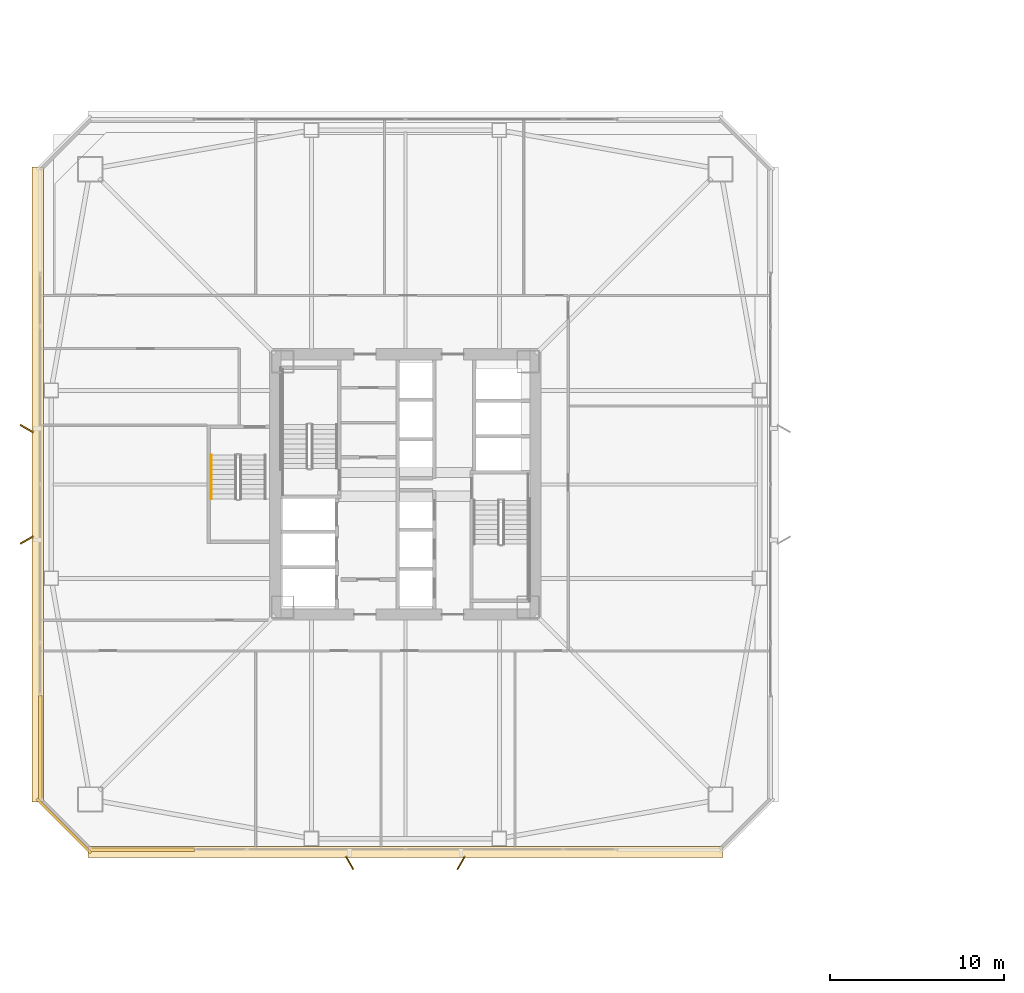
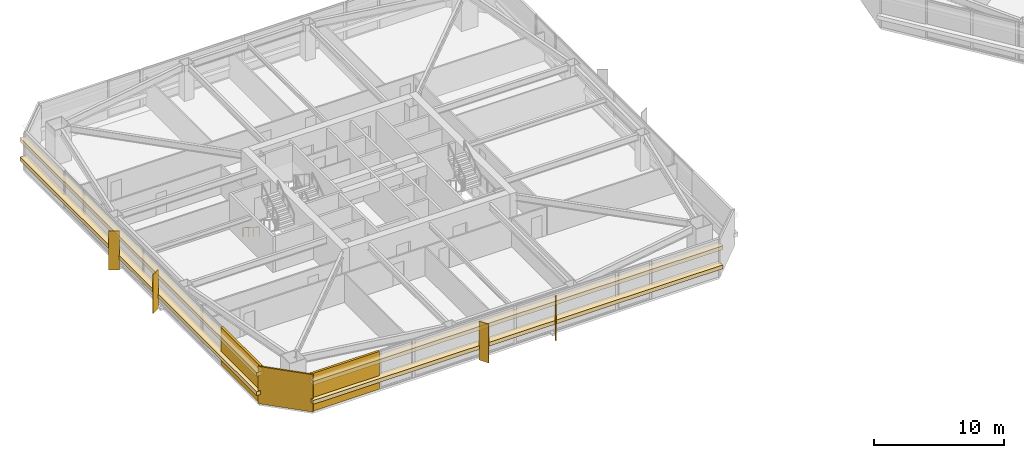
# One storey, part 42 of 49: 7 coverings, 4 shading devices, 1 railing.
"""IFC4 building model written with IfcOpenShell, lengths in metres."""

import ifcopenshell
import ifcopenshell.guid

model = None  # the IFC model being written
_history = None  # IfcOwnerHistory: only IFC2X3 demands one
_inside = {}  # id of a spatial element -> (the spatial element, [elements in it])
_under = {}  # id of a project, library or spatial element -> (it, [spatial elements below it])
_declared = {}  # id of a project -> (the project, [libraries it declares])
_typed = {}  # id of a type object -> (the type object, [elements of that type])
_made_of = {}  # id of a material, layer set ... -> (it, [elements and type objects made of it])


def new_model(schema):
    """Start an empty IFC model of exactly this schema.

    Asked for "IFC4X3", IfcOpenShell would pick the latest addendum, in which some entities
    have other attributes; the version numbers below select the first issue.
    IFC2X3 requires an IfcOwnerHistory on every rooted entity: one is made here for all.
    """
    global model, _history
    if schema == "IFC4X3":
        model = ifcopenshell.file(schema_version=(4, 3, 0, 0))
    else:
        model = ifcopenshell.file(schema=schema)
    _inside.clear()
    _under.clear()
    _declared.clear()
    _typed.clear()
    _made_of.clear()
    _history = None
    if model.schema == "IFC2X3":
        org = make("IfcOrganization", Name="unknown")
        user = make(
            "IfcPersonAndOrganization",
            ThePerson=make("IfcPerson", FamilyName="unknown"),
            TheOrganization=org,
        )
        app = make(
            "IfcApplication",
            ApplicationDeveloper=org,
            Version="unknown",
            ApplicationFullName="unknown",
            ApplicationIdentifier="unknown",
        )
        _history = make(
            "IfcOwnerHistory",
            OwningUser=user,
            OwningApplication=app,
            ChangeAction="ADDED",
            CreationDate=0,
        )
    return model


def make(cls, **values):
    """One entity of the class cls with the attributes given. An attribute that is None is left unset."""
    return model.create_entity(
        cls, **{name: value for name, value in values.items() if value is not None}
    )


def rooted(cls, **values):
    """An entity with a GlobalId (a new one), such as an element, a storey or a relation."""
    return make(cls, GlobalId=ifcopenshell.guid.new(), OwnerHistory=_history, **values)


def si_unit(unit_type, name, prefix=None):
    """IfcSIUnit, for example si_unit("LENGTHUNIT", "METRE", prefix="MILLI")."""
    return make("IfcSIUnit", UnitType=unit_type, Prefix=prefix, Name=name)


def assignment(units):
    """IfcUnitAssignment: the units of a project."""
    return None if units is None else make("IfcUnitAssignment", Units=units)


def point(xyz):
    """IfcCartesianPoint."""
    return None if xyz is None else make("IfcCartesianPoint", Coordinates=xyz)


def direction(xyz):
    """IfcDirection."""
    return None if xyz is None else make("IfcDirection", DirectionRatios=xyz)


def frame(location, z_axis=None, x_axis=None):
    """IfcAxis2Placement3D, a coordinate frame: its origin and axes. An axis left out is left unset."""
    return make(
        "IfcAxis2Placement3D",
        Location=point(location),
        Axis=direction(z_axis),
        RefDirection=direction(x_axis),
    )


def frame_2d(location, x_axis=None):
    """IfcAxis2Placement2D, a coordinate frame in the plane: its origin and x axis."""
    return make(
        "IfcAxis2Placement2D", Location=point(location), RefDirection=direction(x_axis)
    )


def origin():
    """The frame at (0, 0, 0) with its axes left unset."""
    return frame((0.0, 0.0, 0.0))


def origin_2d():
    """The frame at (0, 0) in the plane with its x axis left unset."""
    return frame_2d((0.0, 0.0))


def place(relative_to, where):
    """IfcLocalPlacement: puts the frame where relative to a parent placement (None: the world)."""
    return make(
        "IfcLocalPlacement", PlacementRelTo=relative_to, RelativePlacement=where
    )


def context(
    kind, dimensions, precision=None, world=None, true_north=None, identifier=None
):
    """IfcGeometricRepresentationContext, for example the 3D "Model" context."""
    return make(
        "IfcGeometricRepresentationContext",
        ContextIdentifier=identifier,
        ContextType=kind,
        CoordinateSpaceDimension=dimensions,
        Precision=precision,
        WorldCoordinateSystem=world,
        TrueNorth=true_north,
    )


def subcontext(parent, identifier, kind, view, scale=None):
    """IfcGeometricRepresentationSubContext, for example "Body" below "Model"."""
    return make(
        "IfcGeometricRepresentationSubContext",
        ContextIdentifier=identifier,
        ContextType=kind,
        ParentContext=parent,
        TargetScale=scale,
        TargetView=view,
    )


def project(units=None, contexts=None):
    """IfcProject with its units and contexts."""
    return rooted(
        "IfcProject",
        Name="project",
        RepresentationContexts=contexts,
        UnitsInContext=assignment(units),
    )


def spatial(cls, under=None, at=None, **own):
    """A site, building, storey or space (cls), placed at a placement, below another one or the project."""
    s = rooted(cls, ObjectPlacement=at, **own)
    if under is not None:
        _under.setdefault(under.id(), (under, []))[1].append(s)
    return s


def profile(cls, at=None, kind="AREA", **sizes):
    """A parametric profile (cls). Its sizes go by their IFC names, for example OverallWidth=200.0."""
    return make(cls, ProfileType=kind, Position=at, **sizes)


def rectangle(**sizes):
    """IfcRectangleProfileDef."""
    return profile("IfcRectangleProfileDef", **sizes)


def extrude(swept, where, along, depth):
    """IfcExtrudedAreaSolid: the profile swept, set in the frame where, extruded along a direction by depth."""
    return make(
        "IfcExtrudedAreaSolid",
        SweptArea=swept,
        Position=where,
        ExtrudedDirection=direction(along),
        Depth=depth,
    )


def shape(context_of_items, identifier, shape_type, items):
    """IfcShapeRepresentation: the items that make up one representation, for example the "Body"."""
    return make(
        "IfcShapeRepresentation",
        ContextOfItems=context_of_items,
        RepresentationIdentifier=identifier,
        RepresentationType=shape_type,
        Items=items,
    )


def material(Name=None, Category=None):
    """IfcMaterial."""
    return make("IfcMaterial", Name=Name, Category=Category)


def layer(
    of_material, thickness, ventilated=None, Name=None, Category=None, Priority=None
):
    """IfcMaterialLayer: one layer of a wall or slab, of a material (None: an air gap)."""
    return make(
        "IfcMaterialLayer",
        Material=of_material,
        LayerThickness=thickness,
        IsVentilated=ventilated,
        Name=Name,
        Category=Category,
        Priority=Priority,
    )


def layer_set(layers, Name=None):
    """IfcMaterialLayerSet."""
    return make("IfcMaterialLayerSet", MaterialLayers=layers, LayerSetName=Name)


def made_of(thing, what):
    """Note that an element or type object is made of a material, layer set ...; save() writes the relation."""
    if what is not None:
        _made_of.setdefault(what.id(), (what, []))[1].append(thing)
    return thing


def type_object(cls, material=None, **own):
    """A type object (cls), such as IfcWallType, which elements share."""
    return made_of(rooted(cls, **own), material)


def element(
    cls,
    number,
    at=None,
    inside=None,
    cuts=None,
    type_object=None,
    material=None,
    context=None,
    identifier="Body",
    shape_type=None,
    held_by="IfcProductDefinitionShape",
    body=None,
    shapes=None,
    **own,
):
    """One element of the class cls, such as IfcWall. Its Tag is "e" and its number.

    at: its placement. inside: the storey or other place that contains it. cuts: it is an
    opening in that element (IfcRelVoidsElement). A single representation is given by context,
    identifier, shape_type and body (its items); several are given by shapes. held_by: the class
    of the entity that holds the representations. save() writes the other relations.
    """
    e = rooted(cls, Tag="e%d" % number, ObjectPlacement=at, **own)
    if body is not None:
        shapes = [shape(context, identifier, shape_type, body)]
    if shapes is not None:
        e.Representation = make(held_by, Representations=shapes)
    if inside is not None:
        _inside.setdefault(inside.id(), (inside, []))[1].append(e)
    if cuts is not None:
        rooted(
            "IfcRelVoidsElement", RelatingBuildingElement=cuts, RelatedOpeningElement=e
        )
    if type_object is not None:
        _typed.setdefault(type_object.id(), (type_object, []))[1].append(e)
    return made_of(e, material)


def aggregate(whole, parts):
    """IfcRelAggregates: a whole, such as a stair, and the parts it consists of."""
    return rooted("IfcRelAggregates", RelatingObject=whole, RelatedObjects=parts)


def save(model, path):
    """Write the relations noted so far, then the file.

    IfcRelAggregates (storeys below a building ...), IfcRelContainedInSpatialStructure (elements
    in a storey), IfcRelDefinesByType, IfcRelAssociatesMaterial and IfcRelDeclares: one each for
    every whole, place, type object, material and project.
    """
    for whole, parts in _under.values():
        aggregate(whole, parts)
    for where, things in _inside.values():
        rooted(
            "IfcRelContainedInSpatialStructure",
            RelatedElements=things,
            RelatingStructure=where,
        )
    for kind, things in _typed.values():
        rooted("IfcRelDefinesByType", RelatedObjects=things, RelatingType=kind)
    for what, things in _made_of.values():
        rooted("IfcRelAssociatesMaterial", RelatedObjects=things, RelatingMaterial=what)
    for by, libraries in _declared.values():
        rooted("IfcRelDeclares", RelatingContext=by, RelatedDefinitions=libraries)
    model.write(path)


model = new_model("IFC4")

# Units and contexts
model_context = context("Model", 3, precision=1e-05, world=origin(), true_north=direction((0.0, 1.0)))
body_context = subcontext(model_context, "Body", "Model", "MODEL_VIEW")
ifc_project = project(units=[si_unit("LENGTHUNIT", "METRE"), si_unit("AREAUNIT", "SQUARE_METRE"), si_unit("VOLUMEUNIT", "CUBIC_METRE"), si_unit("PLANEANGLEUNIT", "RADIAN"), si_unit("MASSUNIT", "GRAM", prefix="KILO")], contexts=[model_context])

# Site, building, storey
site_placement = place(None, origin())
site = spatial("IfcSite", under=ifc_project, at=site_placement, CompositionType="ELEMENT")
building_placement = place(site_placement, origin())
building = spatial("IfcBuilding", under=site, at=building_placement, Name="Tashvorn Skyway Center", CompositionType="ELEMENT")
storey_placement = place(building_placement, frame((0.0, 0.0, 70.75)))
storey = spatial("IfcBuildingStorey", under=building, at=storey_placement, Name="L18", CompositionType="ELEMENT", Elevation=70.75)

# Coverings
ifc_material_1 = material(Name="Precast concrete C40/50", Category="concrete")
ifc_layer_1 = layer(ifc_material_1, 0.199951171875)
ifc_layer_set_1 = layer_set([ifc_layer_1], Name="Precast concrete C40/50")
covering_type_1 = type_object("IfcCoveringType", Name="COV-BRACE-CLAD", PredefinedType="CLADDING", material=ifc_layer_set_1)
for number, where, z_axis, x_axis, name in (
    (1, (26.85009765625, 11.02001953125, 0.0), (0.0, 0.0, 1.0), (-1.0, 0.0, 0.0), "Tower 1 L18 South Unitised Curtain Wall Mega-Brace Cladding Band 2"),
    (2, (21.02001953125, 16.85009765625, 0.0), (0.0, 0.0, 1.0), (0.0, 1.0, 0.0), "Tower 1 L18 West Unitised Curtain Wall Mega-Brace Cladding Band 1"),
):
    element("IfcCovering", number, at=place(storey_placement, frame(where, z_axis=z_axis, x_axis=x_axis)), inside=storey, type_object=covering_type_1, Name=name, PredefinedType="CLADDING", context=body_context, shape_type="SweptSolid", body=[
        extrude(rectangle(XDim=6.06005859375, YDim=0.199951171875, at=origin_2d()), origin(), (0.0, 0.0, 1.0), 3.550048828125),
    ])
ifc_material_2 = material(Name="Perforated ceramic-coated bronze aluminium solar screen", Category="aluminium")
ifc_layer_2 = layer(ifc_material_2, 0.85009765625)
ifc_layer_set_2 = layer_set([ifc_layer_2], Name="Perforated ceramic-coated bronze aluminium solar screen")
covering_type_2 = type_object("IfcCoveringType", Name="COV-SOLAR-BAND", PredefinedType="CLADDING", material=ifc_layer_set_2)
for number, where, z_axis, x_axis, name in (
    (3, (42.0, 10.8798828125, 0.919921875), (0.0, 0.0, 1.0), (-1.0, 0.0, 0.0), "L18 Perforated Ceramic-Metal Solar Screen Louvre Band South 1"),
    (4, (42.0, 10.8798828125, 2.7197265625), (0.0, 0.0, 1.0), (-1.0, 0.0, 0.0), "L18 Perforated Ceramic-Metal Solar Screen Louvre Band South 2"),
    (5, (20.8798828125, 32.0, 0.919921875), (0.0, 0.0, 1.0), (0.0, 1.0, 0.0), "L18 Perforated Ceramic-Metal Solar Screen Louvre Band West 1"),
    (6, (20.8798828125, 32.0, 2.7197265625), (0.0, 0.0, 1.0), (0.0, 1.0, 0.0), "L18 Perforated Ceramic-Metal Solar Screen Louvre Band West 2"),
):
    element("IfcCovering", number, at=place(storey_placement, frame(where, z_axis=z_axis, x_axis=x_axis)), inside=storey, type_object=covering_type_2, Name=name, PredefinedType="CLADDING", context=body_context, shape_type="SweptSolid", body=[
        extrude(rectangle(XDim=36.47998046875, YDim=0.639892578125, at=origin_2d()), origin(), (0.0, 0.0, 1.0), 0.360107421875),
    ])
ifc_layer_3 = layer(ifc_material_1, 0.35009765625)
ifc_layer_set_3 = layer_set([ifc_layer_3], Name="Precast concrete C40/50")
covering_type_3 = type_object("IfcCoveringType", Name="COV-STONE-TRIM", PredefinedType="CLADDING", material=ifc_layer_set_3)
covering_placement = place(storey_placement, frame((22.3798828125, 12.3798828125, 0.02001953125), z_axis=(0.0, 0.0, 1.0), x_axis=(-0.707106781187, 0.707106781187, 0.0)))
element("IfcCovering", 7, at=covering_placement, inside=storey, type_object=covering_type_3, Name="Tower 1 L18 SW Mojave Limestone Corner Quoin", PredefinedType="CLADDING", context=body_context, shape_type="SweptSolid", body=[
    extrude(rectangle(XDim=4.402587890625, YDim=0.139892578125, at=origin_2d()), origin(), (0.0, 0.0, 1.0), 3.510009765625),
])

# Railing
ifc_material_3 = material(Name="Brushed stainless steel 316", Category="steel")
railing_type = type_object("IfcRailingType", Name="RAIL-HAND-920", PredefinedType="HANDRAIL", material=ifc_material_3)
railing_placement = place(storey_placement, frame((30.85009765625, 33.679931640625, 0.177490234375)))
element("IfcRailing", 8, at=railing_placement, inside=storey, type_object=railing_type, Name="L18 ST-T1-3 stair handrail 1", PredefinedType="HANDRAIL", context=body_context, shape_type="SweptSolid", body=[
    extrude(rectangle(XDim=0.048095703125, YDim=0.048095703125, at=origin_2d()), frame((0.0, 0.0, 0.8759765625), z_axis=(0.0, -0.84460694969, 0.535386869969), x_axis=(1.0, 0.0, 0.0)), (0.0, 0.0, 1.0), 2.983642578125),
    extrude(rectangle(XDim=0.0419921875, YDim=0.0419921875, at=origin_2d()), origin(), (0.0, 0.0, 1.0), 0.851806640625),
    extrude(rectangle(XDim=0.0419921875, YDim=0.0419921875, at=origin_2d()), frame((0.0, -0.840087890625, 0.532470703125)), (0.0, 0.0, 1.0), 0.851806640625),
    extrude(rectangle(XDim=0.0419921875, YDim=0.0419921875, at=origin_2d()), frame((0.0, -1.679931640625, 1.06494140625)), (0.0, 0.0, 1.0), 0.851806640625),
    extrude(rectangle(XDim=0.0419921875, YDim=0.0419921875, at=origin_2d()), frame((0.0, -2.52001953125, 1.597412109375)), (0.0, 0.0, 1.0), 0.851806640625),
])

# Shading devices
ifc_layer_4 = layer(ifc_material_2, 0.06005859375)
ifc_layer_set_4 = layer_set([ifc_layer_4], Name="Perforated ceramic-coated bronze aluminium solar screen")
shading_device_type = type_object("IfcShadingDeviceType", Name="SHD-SOLAR-850", PredefinedType="USERDEFINED", material=ifc_layer_set_4)
for number, where, z_axis, x_axis, name in (
    (9, (38.800048828125, 10.25, -0.099853515625), (0.0, 0.0, 1.0), (-0.866025403784, -0.5, 0.0), "Tower 1 L18 Perforated Ceramic-Metal Solar Screen S1"),
    (10, (45.199951171875, 10.25, -0.099853515625), (0.0, 0.0, 1.0), (-0.866025403784, 0.5, 0.0), "Tower 1 L18 Perforated Ceramic-Metal Solar Screen S2"),
    (11, (20.25, 28.800048828125, -0.099853515625), (0.0, 0.0, 1.0), (-0.5, 0.866025403784, 0.0), "Tower 1 L18 Perforated Ceramic-Metal Solar Screen W1"),
    (12, (20.25, 35.199951171875, -0.099853515625), (0.0, 0.0, 1.0), (0.5, 0.866025403784, 0.0), "Tower 1 L18 Perforated Ceramic-Metal Solar Screen W2"),
):
    element("IfcShadingDevice", number, at=place(storey_placement, frame(where, z_axis=z_axis, x_axis=x_axis)), inside=storey, type_object=shading_device_type, Name=name, ObjectType="SCREEN", PredefinedType="USERDEFINED", context=body_context, shape_type="SweptSolid", body=[
        extrude(rectangle(XDim=0.080078125, YDim=0.85009765625, at=origin_2d()), origin(), (0.0, 0.0, 1.0), 3.64990234375),
    ])

save(model, "model.ifc")
